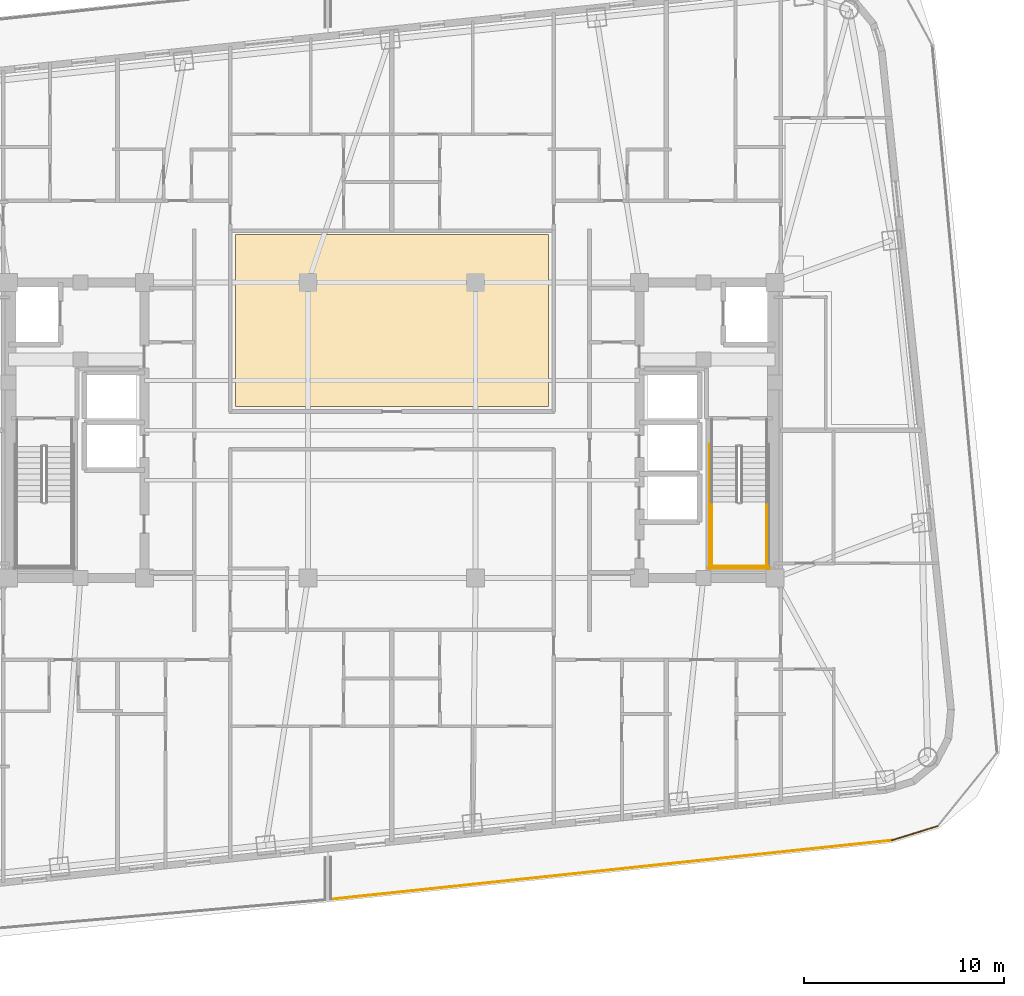
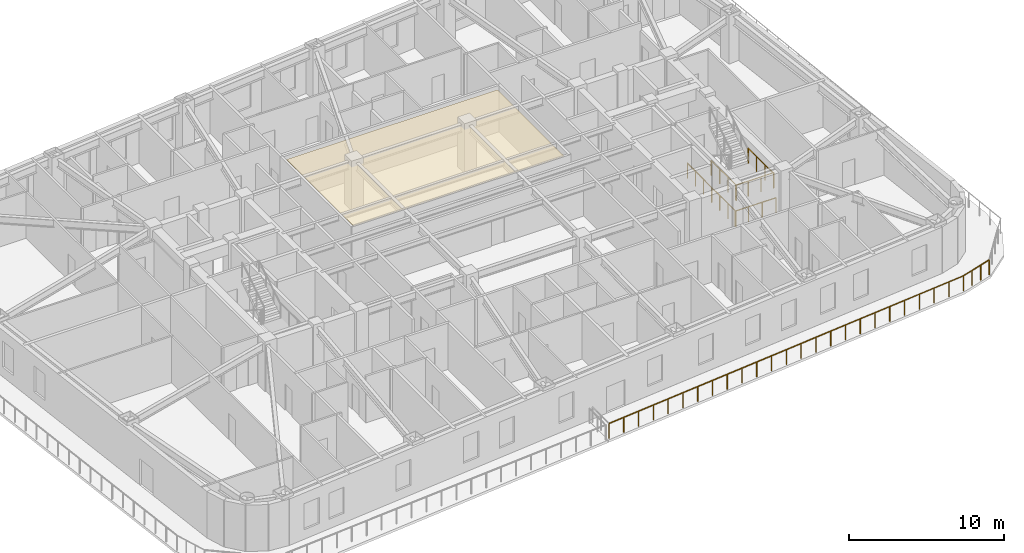
# One storey, part 13 of 15: 7 railings, 1 covering.
"""IFC4 building model written with IfcOpenShell, lengths in metres."""

import ifcopenshell
import ifcopenshell.guid

model = None  # the IFC model being written
_history = None  # IfcOwnerHistory: only IFC2X3 demands one
_inside = {}  # id of a spatial element -> (the spatial element, [elements in it])
_under = {}  # id of a project, library or spatial element -> (it, [spatial elements below it])
_declared = {}  # id of a project -> (the project, [libraries it declares])
_typed = {}  # id of a type object -> (the type object, [elements of that type])
_made_of = {}  # id of a material, layer set ... -> (it, [elements and type objects made of it])


def new_model(schema):
    """Start an empty IFC model of exactly this schema.

    Asked for "IFC4X3", IfcOpenShell would pick the latest addendum, in which some entities
    have other attributes; the version numbers below select the first issue.
    IFC2X3 requires an IfcOwnerHistory on every rooted entity: one is made here for all.
    """
    global model, _history
    if schema == "IFC4X3":
        model = ifcopenshell.file(schema_version=(4, 3, 0, 0))
    else:
        model = ifcopenshell.file(schema=schema)
    _inside.clear()
    _under.clear()
    _declared.clear()
    _typed.clear()
    _made_of.clear()
    _history = None
    if model.schema == "IFC2X3":
        org = make("IfcOrganization", Name="unknown")
        user = make(
            "IfcPersonAndOrganization",
            ThePerson=make("IfcPerson", FamilyName="unknown"),
            TheOrganization=org,
        )
        app = make(
            "IfcApplication",
            ApplicationDeveloper=org,
            Version="unknown",
            ApplicationFullName="unknown",
            ApplicationIdentifier="unknown",
        )
        _history = make(
            "IfcOwnerHistory",
            OwningUser=user,
            OwningApplication=app,
            ChangeAction="ADDED",
            CreationDate=0,
        )
    return model


def make(cls, **values):
    """One entity of the class cls with the attributes given. An attribute that is None is left unset."""
    return model.create_entity(
        cls, **{name: value for name, value in values.items() if value is not None}
    )


def rooted(cls, **values):
    """An entity with a GlobalId (a new one), such as an element, a storey or a relation."""
    return make(cls, GlobalId=ifcopenshell.guid.new(), OwnerHistory=_history, **values)


def si_unit(unit_type, name, prefix=None):
    """IfcSIUnit, for example si_unit("LENGTHUNIT", "METRE", prefix="MILLI")."""
    return make("IfcSIUnit", UnitType=unit_type, Prefix=prefix, Name=name)


def assignment(units):
    """IfcUnitAssignment: the units of a project."""
    return None if units is None else make("IfcUnitAssignment", Units=units)


def point(xyz):
    """IfcCartesianPoint."""
    return None if xyz is None else make("IfcCartesianPoint", Coordinates=xyz)


def direction(xyz):
    """IfcDirection."""
    return None if xyz is None else make("IfcDirection", DirectionRatios=xyz)


def frame(location, z_axis=None, x_axis=None):
    """IfcAxis2Placement3D, a coordinate frame: its origin and axes. An axis left out is left unset."""
    return make(
        "IfcAxis2Placement3D",
        Location=point(location),
        Axis=direction(z_axis),
        RefDirection=direction(x_axis),
    )


def frame_2d(location, x_axis=None):
    """IfcAxis2Placement2D, a coordinate frame in the plane: its origin and x axis."""
    return make(
        "IfcAxis2Placement2D", Location=point(location), RefDirection=direction(x_axis)
    )


def origin():
    """The frame at (0, 0, 0) with its axes left unset."""
    return frame((0.0, 0.0, 0.0))


def origin_2d():
    """The frame at (0, 0) in the plane with its x axis left unset."""
    return frame_2d((0.0, 0.0))


def place(relative_to, where):
    """IfcLocalPlacement: puts the frame where relative to a parent placement (None: the world)."""
    return make(
        "IfcLocalPlacement", PlacementRelTo=relative_to, RelativePlacement=where
    )


def context(
    kind, dimensions, precision=None, world=None, true_north=None, identifier=None
):
    """IfcGeometricRepresentationContext, for example the 3D "Model" context."""
    return make(
        "IfcGeometricRepresentationContext",
        ContextIdentifier=identifier,
        ContextType=kind,
        CoordinateSpaceDimension=dimensions,
        Precision=precision,
        WorldCoordinateSystem=world,
        TrueNorth=true_north,
    )


def subcontext(parent, identifier, kind, view, scale=None):
    """IfcGeometricRepresentationSubContext, for example "Body" below "Model"."""
    return make(
        "IfcGeometricRepresentationSubContext",
        ContextIdentifier=identifier,
        ContextType=kind,
        ParentContext=parent,
        TargetScale=scale,
        TargetView=view,
    )


def project(units=None, contexts=None):
    """IfcProject with its units and contexts."""
    return rooted(
        "IfcProject",
        Name="project",
        RepresentationContexts=contexts,
        UnitsInContext=assignment(units),
    )


def spatial(cls, under=None, at=None, **own):
    """A site, building, storey or space (cls), placed at a placement, below another one or the project."""
    s = rooted(cls, ObjectPlacement=at, **own)
    if under is not None:
        _under.setdefault(under.id(), (under, []))[1].append(s)
    return s


def polyline(points):
    """IfcPolyline through the points."""
    return make("IfcPolyline", Points=[point(p) for p in points])


def profile(cls, at=None, kind="AREA", **sizes):
    """A parametric profile (cls). Its sizes go by their IFC names, for example OverallWidth=200.0."""
    return make(cls, ProfileType=kind, Position=at, **sizes)


def circle(**sizes):
    """IfcCircleProfileDef."""
    return profile("IfcCircleProfileDef", **sizes)


def outline(outer, holes=None, kind="AREA"):
    """IfcArbitraryClosedProfileDef: a profile drawn as a closed curve; with holes, ...WithVoids."""
    if holes is None:
        return make("IfcArbitraryClosedProfileDef", ProfileType=kind, OuterCurve=outer)
    return make(
        "IfcArbitraryProfileDefWithVoids",
        ProfileType=kind,
        OuterCurve=outer,
        InnerCurves=holes,
    )


def extrude(swept, where, along, depth):
    """IfcExtrudedAreaSolid: the profile swept, set in the frame where, extruded along a direction by depth."""
    return make(
        "IfcExtrudedAreaSolid",
        SweptArea=swept,
        Position=where,
        ExtrudedDirection=direction(along),
        Depth=depth,
    )


def shape(context_of_items, identifier, shape_type, items):
    """IfcShapeRepresentation: the items that make up one representation, for example the "Body"."""
    return make(
        "IfcShapeRepresentation",
        ContextOfItems=context_of_items,
        RepresentationIdentifier=identifier,
        RepresentationType=shape_type,
        Items=items,
    )


def material(Name=None, Category=None):
    """IfcMaterial."""
    return make("IfcMaterial", Name=Name, Category=Category)


def layer(
    of_material, thickness, ventilated=None, Name=None, Category=None, Priority=None
):
    """IfcMaterialLayer: one layer of a wall or slab, of a material (None: an air gap)."""
    return make(
        "IfcMaterialLayer",
        Material=of_material,
        LayerThickness=thickness,
        IsVentilated=ventilated,
        Name=Name,
        Category=Category,
        Priority=Priority,
    )


def layer_set(layers, Name=None):
    """IfcMaterialLayerSet."""
    return make("IfcMaterialLayerSet", MaterialLayers=layers, LayerSetName=Name)


def made_of(thing, what):
    """Note that an element or type object is made of a material, layer set ...; save() writes the relation."""
    if what is not None:
        _made_of.setdefault(what.id(), (what, []))[1].append(thing)
    return thing


def type_object(cls, material=None, **own):
    """A type object (cls), such as IfcWallType, which elements share."""
    return made_of(rooted(cls, **own), material)


def element(
    cls,
    number,
    at=None,
    inside=None,
    cuts=None,
    type_object=None,
    material=None,
    context=None,
    identifier="Body",
    shape_type=None,
    held_by="IfcProductDefinitionShape",
    body=None,
    shapes=None,
    **own,
):
    """One element of the class cls, such as IfcWall. Its Tag is "e" and its number.

    at: its placement. inside: the storey or other place that contains it. cuts: it is an
    opening in that element (IfcRelVoidsElement). A single representation is given by context,
    identifier, shape_type and body (its items); several are given by shapes. held_by: the class
    of the entity that holds the representations. save() writes the other relations.
    """
    e = rooted(cls, Tag="e%d" % number, ObjectPlacement=at, **own)
    if body is not None:
        shapes = [shape(context, identifier, shape_type, body)]
    if shapes is not None:
        e.Representation = make(held_by, Representations=shapes)
    if inside is not None:
        _inside.setdefault(inside.id(), (inside, []))[1].append(e)
    if cuts is not None:
        rooted(
            "IfcRelVoidsElement", RelatingBuildingElement=cuts, RelatedOpeningElement=e
        )
    if type_object is not None:
        _typed.setdefault(type_object.id(), (type_object, []))[1].append(e)
    return made_of(e, material)


def aggregate(whole, parts):
    """IfcRelAggregates: a whole, such as a stair, and the parts it consists of."""
    return rooted("IfcRelAggregates", RelatingObject=whole, RelatedObjects=parts)


def save(model, path):
    """Write the relations noted so far, then the file.

    IfcRelAggregates (storeys below a building ...), IfcRelContainedInSpatialStructure (elements
    in a storey), IfcRelDefinesByType, IfcRelAssociatesMaterial and IfcRelDeclares: one each for
    every whole, place, type object, material and project.
    """
    for whole, parts in _under.values():
        aggregate(whole, parts)
    for where, things in _inside.values():
        rooted(
            "IfcRelContainedInSpatialStructure",
            RelatedElements=things,
            RelatingStructure=where,
        )
    for kind, things in _typed.values():
        rooted("IfcRelDefinesByType", RelatedObjects=things, RelatingType=kind)
    for what, things in _made_of.values():
        rooted("IfcRelAssociatesMaterial", RelatedObjects=things, RelatingMaterial=what)
    for by, libraries in _declared.values():
        rooted("IfcRelDeclares", RelatingContext=by, RelatedDefinitions=libraries)
    model.write(path)


model = new_model("IFC4")

# Units and contexts
model_context = context("Model", 3, precision=1e-05, world=origin(), true_north=direction((0.0, 1.0)))
body_context = subcontext(model_context, "Body", "Model", "MODEL_VIEW")
ifc_project = project(units=[si_unit("LENGTHUNIT", "METRE"), si_unit("AREAUNIT", "SQUARE_METRE"), si_unit("VOLUMEUNIT", "CUBIC_METRE"), si_unit("PLANEANGLEUNIT", "RADIAN"), si_unit("MASSUNIT", "GRAM", prefix="KILO")], contexts=[model_context])

# Site, building, storey
site_placement = place(None, origin())
site = spatial("IfcSite", under=ifc_project, at=site_placement, CompositionType="ELEMENT")
building_placement = place(site_placement, origin())
building = spatial("IfcBuilding", under=site, at=building_placement, Name="Voryun Gate Residences", CompositionType="ELEMENT")
storey_placement = place(building_placement, frame((0.0, 0.0, 171.60009765625)))
storey = spatial("IfcBuildingStorey", under=building, at=storey_placement, Name="L42", CompositionType="ELEMENT", Elevation=171.60009765625)

# Covering
ifc_material_1 = material(Name="Gypsum acoustic ceiling")
ifc_layer = layer(ifc_material_1, 0.02490234375, Name="COV_CEILING_ACOUSTIC")
ifc_layer_set = layer_set([ifc_layer], Name="Gypsum acoustic ceiling")
covering_type = type_object("IfcCoveringType", Name="COV_CEILING_ACOUSTIC", PredefinedType="CEILING", material=ifc_layer_set)
covering_placement = place(storey_placement, frame((0.0, 0.0, 3.39990234375)))
element("IfcCovering", 1, at=covering_placement, inside=storey, type_object=covering_type, Name="Acoustic ceiling CLG-L42-01", PredefinedType="CEILING", context=body_context, shape_type="SweptSolid", body=[
    extrude(outline(polyline([(-7.840087890625, 1.199951171875), (-7.840087890625, 9.800048828125), (7.840087890625, 9.800048828125), (7.840087890625, 1.199951171875), (-7.840087890625, 1.199951171875)])), origin(), (0.0, 0.0, 1.0), 0.02490234375),
])

# Railings
ifc_material_2 = material(Name="Anodised aluminium", Category="aluminium")
railing_type_1 = type_object("IfcRailingType", Name="RAIL_BALCONY_GUARD_1200", PredefinedType="GUARDRAIL", material=ifc_material_2)
railing_1_placement = place(storey_placement, frame((27.340576171875, -19.8203125, 0.0)))
element("IfcRailing", 2, at=railing_1_placement, inside=storey, type_object=railing_type_1, Name="Terrace guard RL-L42-P2L1-05", PredefinedType="GUARDRAIL", context=body_context, shape_type="SweptSolid", body=[
    extrude(circle(Radius=0.02392578125, at=origin_2d()), frame((0.0, 0.0, 1.17578125), z_axis=(-0.955002138807, -0.296598912464, 0.0), x_axis=(0.296598912464, -0.955002138807, 0.0)), (0.0, 0.0, 1.0), 2.42236328125),
    extrude(circle(Radius=0.02099609375, at=origin_2d()), origin(), (0.0, 0.0, 1.0), 1.15185546875),
    extrude(circle(Radius=0.02099609375, at=origin_2d()), frame((-0.771240234375, -0.239501953125, 0.0)), (0.0, 0.0, 1.0), 1.15185546875),
    extrude(circle(Radius=0.02099609375, at=origin_2d()), frame((-1.542236328125, -0.47900390625, 0.0)), (0.0, 0.0, 1.0), 1.15185546875),
    extrude(circle(Radius=0.02099609375, at=origin_2d()), frame((-2.3134765625, -0.718505859375, 0.0)), (0.0, 0.0, 1.0), 1.15185546875),
])
railing_2_placement = place(storey_placement, frame((25.027099609375, -20.538818359375, 0.0)))
element("IfcRailing", 3, at=railing_2_placement, inside=storey, type_object=railing_type_1, Name="Terrace guard RL-L42-P2L1-06", PredefinedType="GUARDRAIL", context=body_context, shape_type="SweptSolid", body=[
    extrude(circle(Radius=0.02392578125, at=origin_2d()), frame((0.0, 0.0, 1.17578125), z_axis=(-0.994522817045, -0.104519693726, 0.0), x_axis=(0.104519693726, -0.994522817045, 0.0)), (0.0, 0.0, 1.0), 28.251953125),
    extrude(circle(Radius=0.02099609375, at=origin_2d()), origin(), (0.0, 0.0, 1.0), 1.15185546875),
    extrude(circle(Radius=0.02099609375, at=origin_2d()), frame((-1.170654296875, -0.123046875, 0.0)), (0.0, 0.0, 1.0), 1.15185546875),
    extrude(circle(Radius=0.02099609375, at=origin_2d()), frame((-2.34130859375, -0.24609375, 0.0)), (0.0, 0.0, 1.0), 1.15185546875),
    extrude(circle(Radius=0.02099609375, at=origin_2d()), frame((-3.51220703125, -0.369140625, 0.0)), (0.0, 0.0, 1.0), 1.15185546875),
    extrude(circle(Radius=0.02099609375, at=origin_2d()), frame((-4.682861328125, -0.4921875, 0.0)), (0.0, 0.0, 1.0), 1.15185546875),
    extrude(circle(Radius=0.02099609375, at=origin_2d()), frame((-5.853515625, -0.615234375, 0.0)), (0.0, 0.0, 1.0), 1.15185546875),
    extrude(circle(Radius=0.02099609375, at=origin_2d()), frame((-7.0244140625, -0.73828125, 0.0)), (0.0, 0.0, 1.0), 1.15185546875),
    extrude(circle(Radius=0.02099609375, at=origin_2d()), frame((-8.195068359375, -0.861328125, 0.0)), (0.0, 0.0, 1.0), 1.15185546875),
    extrude(circle(Radius=0.02099609375, at=origin_2d()), frame((-9.36572265625, -0.984375, 0.0)), (0.0, 0.0, 1.0), 1.15185546875),
    extrude(circle(Radius=0.02099609375, at=origin_2d()), frame((-10.536376953125, -1.107421875, 0.0)), (0.0, 0.0, 1.0), 1.15185546875),
    extrude(circle(Radius=0.02099609375, at=origin_2d()), frame((-11.70703125, -1.23046875, 0.0)), (0.0, 0.0, 1.0), 1.15185546875),
    extrude(circle(Radius=0.02099609375, at=origin_2d()), frame((-12.8779296875, -1.353515625, 0.0)), (0.0, 0.0, 1.0), 1.15185546875),
    extrude(circle(Radius=0.02099609375, at=origin_2d()), frame((-14.048583984375, -1.4765625, 0.0)), (0.0, 0.0, 1.0), 1.15185546875),
    extrude(circle(Radius=0.02099609375, at=origin_2d()), frame((-15.21923828125, -1.599365234375, 0.0)), (0.0, 0.0, 1.0), 1.15185546875),
    extrude(circle(Radius=0.02099609375, at=origin_2d()), frame((-16.39013671875, -1.722412109375, 0.0)), (0.0, 0.0, 1.0), 1.15185546875),
    extrude(circle(Radius=0.02099609375, at=origin_2d()), frame((-17.560791015625, -1.845458984375, 0.0)), (0.0, 0.0, 1.0), 1.15185546875),
    extrude(circle(Radius=0.02099609375, at=origin_2d()), frame((-18.7314453125, -1.968505859375, 0.0)), (0.0, 0.0, 1.0), 1.15185546875),
    extrude(circle(Radius=0.02099609375, at=origin_2d()), frame((-19.902099609375, -2.091552734375, 0.0)), (0.0, 0.0, 1.0), 1.15185546875),
    extrude(circle(Radius=0.02099609375, at=origin_2d()), frame((-21.07275390625, -2.214599609375, 0.0)), (0.0, 0.0, 1.0), 1.15185546875),
    extrude(circle(Radius=0.02099609375, at=origin_2d()), frame((-22.24365234375, -2.337646484375, 0.0)), (0.0, 0.0, 1.0), 1.15185546875),
    extrude(circle(Radius=0.02099609375, at=origin_2d()), frame((-23.414306640625, -2.460693359375, 0.0)), (0.0, 0.0, 1.0), 1.15185546875),
    extrude(circle(Radius=0.02099609375, at=origin_2d()), frame((-24.5849609375, -2.583740234375, 0.0)), (0.0, 0.0, 1.0), 1.15185546875),
    extrude(circle(Radius=0.02099609375, at=origin_2d()), frame((-25.755859375, -2.706787109375, 0.0)), (0.0, 0.0, 1.0), 1.15185546875),
    extrude(circle(Radius=0.02099609375, at=origin_2d()), frame((-26.926513671875, -2.829833984375, 0.0)), (0.0, 0.0, 1.0), 1.15185546875),
    extrude(circle(Radius=0.02099609375, at=origin_2d()), frame((-28.09716796875, -2.952880859375, 0.0)), (0.0, 0.0, 1.0), 1.15185546875),
])
ifc_material_3 = material(Name="Painted steel", Category="steel")
railing_type_2 = type_object("IfcRailingType", Name="RAIL_STAIR_GUARD_1200", PredefinedType="GUARDRAIL", material=ifc_material_3)
for number, where, name in (
    (4, (16.02490234375, -3.60009765625, 1.949951171875), "L42 ST-E1 stair guard 3"),
    (5, (18.77490234375, -3.60009765625, 1.949951171875), "L42 ST-E1 stair guard 4"),
):
    element("IfcRailing", number, at=place(storey_placement, frame(where)), inside=storey, type_object=railing_type_2, Name=name, PredefinedType="GUARDRAIL", context=body_context, shape_type="SweptSolid", body=[
        extrude(circle(Radius=0.02392578125, at=origin_2d()), frame((0.0, 0.0, 1.17578125), z_axis=(0.0, -1.0, 0.0), x_axis=(1.0, 0.0, 0.0)), (0.0, 0.0, 1.0), 3.25),
        extrude(circle(Radius=0.02099609375, at=origin_2d()), origin(), (0.0, 0.0, 1.0), 1.15185546875),
        extrude(circle(Radius=0.02099609375, at=origin_2d()), frame((0.0, -1.083251953125, 0.0)), (0.0, 0.0, 1.0), 1.15185546875),
        extrude(circle(Radius=0.02099609375, at=origin_2d()), frame((0.0, -2.166748046875, 0.0)), (0.0, 0.0, 1.0), 1.15185546875),
        extrude(circle(Radius=0.02099609375, at=origin_2d()), frame((0.0, -3.25, 0.0)), (0.0, 0.0, 1.0), 1.15185546875),
    ])
railing_3_placement = place(storey_placement, frame((15.97509765625, -6.800048828125, 1.949951171875)))
element("IfcRailing", 6, at=railing_3_placement, inside=storey, type_object=railing_type_2, Name="L42 ST-E1 stair guard 5", PredefinedType="GUARDRAIL", context=body_context, shape_type="SweptSolid", body=[
    extrude(circle(Radius=0.02392578125, at=origin_2d()), frame((0.0, 0.0, 1.17578125), z_axis=(1.0, 0.0, 0.0), x_axis=(0.0, 1.0, 0.0)), (0.0, 0.0, 1.0), 2.849853515625),
    extrude(circle(Radius=0.02099609375, at=origin_2d()), origin(), (0.0, 0.0, 1.0), 1.15185546875),
    extrude(circle(Radius=0.02099609375, at=origin_2d()), frame((0.949951171875, 0.0, 0.0)), (0.0, 0.0, 1.0), 1.15185546875),
    extrude(circle(Radius=0.02099609375, at=origin_2d()), frame((1.89990234375, 0.0, 0.0)), (0.0, 0.0, 1.0), 1.15185546875),
    extrude(circle(Radius=0.02099609375, at=origin_2d()), frame((2.849853515625, 0.0, 0.0)), (0.0, 0.0, 1.0), 1.15185546875),
])
railing_4_placement = place(storey_placement, frame((15.925048828125, -0.699951171875, 0.0)))
element("IfcRailing", 7, at=railing_4_placement, inside=storey, type_object=railing_type_2, Name="L42 ST-E1 stair guard 10", PredefinedType="GUARDRAIL", context=body_context, shape_type="SweptSolid", body=[
    extrude(circle(Radius=0.02392578125, at=origin_2d()), frame((0.0, 0.0, 1.17578125), z_axis=(0.0, -1.0, 0.0), x_axis=(1.0, 0.0, 0.0)), (0.0, 0.0, 1.0), 6.25),
    extrude(circle(Radius=0.02099609375, at=origin_2d()), origin(), (0.0, 0.0, 1.0), 1.15185546875),
    extrude(circle(Radius=0.02099609375, at=origin_2d()), frame((0.0, -1.041748046875, 0.0)), (0.0, 0.0, 1.0), 1.15185546875),
    extrude(circle(Radius=0.02099609375, at=origin_2d()), frame((0.0, -2.083251953125, 0.0)), (0.0, 0.0, 1.0), 1.15185546875),
    extrude(circle(Radius=0.02099609375, at=origin_2d()), frame((0.0, -3.125, 0.0)), (0.0, 0.0, 1.0), 1.15185546875),
    extrude(circle(Radius=0.02099609375, at=origin_2d()), frame((0.0, -4.166748046875, 0.0)), (0.0, 0.0, 1.0), 1.15185546875),
    extrude(circle(Radius=0.02099609375, at=origin_2d()), frame((0.0, -5.208251953125, 0.0)), (0.0, 0.0, 1.0), 1.15185546875),
    extrude(circle(Radius=0.02099609375, at=origin_2d()), frame((0.0, -6.25, 0.0)), (0.0, 0.0, 1.0), 1.15185546875),
])
railing_5_placement = place(storey_placement, frame((15.875, -6.89990234375, 0.0)))
element("IfcRailing", 8, at=railing_5_placement, inside=storey, type_object=railing_type_2, Name="L42 ST-E1 stair guard 12", PredefinedType="GUARDRAIL", context=body_context, shape_type="SweptSolid", body=[
    extrude(circle(Radius=0.02392578125, at=origin_2d()), frame((0.0, 0.0, 1.17578125), z_axis=(1.0, 0.0, 0.0), x_axis=(0.0, 1.0, 0.0)), (0.0, 0.0, 1.0), 3.050048828125),
    extrude(circle(Radius=0.02099609375, at=origin_2d()), origin(), (0.0, 0.0, 1.0), 1.15185546875),
    extrude(circle(Radius=0.02099609375, at=origin_2d()), frame((1.0166015625, 0.0, 0.0)), (0.0, 0.0, 1.0), 1.15185546875),
    extrude(circle(Radius=0.02099609375, at=origin_2d()), frame((2.033447265625, 0.0, 0.0)), (0.0, 0.0, 1.0), 1.15185546875),
    extrude(circle(Radius=0.02099609375, at=origin_2d()), frame((3.050048828125, 0.0, 0.0)), (0.0, 0.0, 1.0), 1.15185546875),
])

save(model, "model.ifc")
